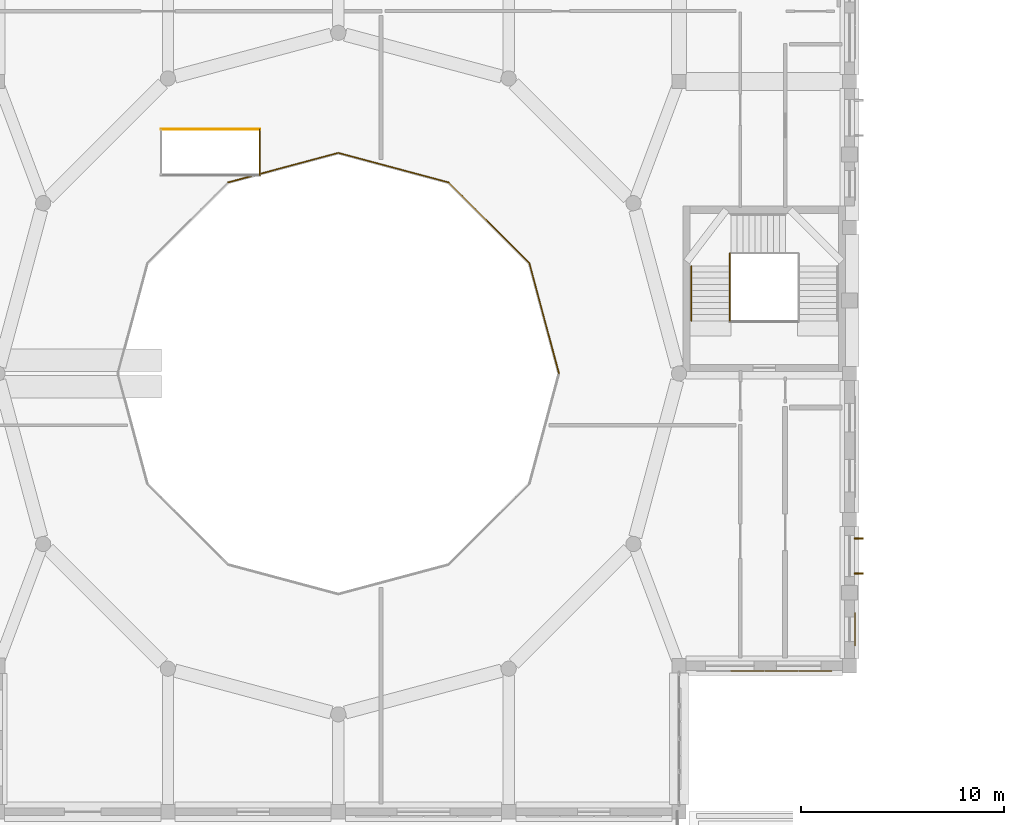
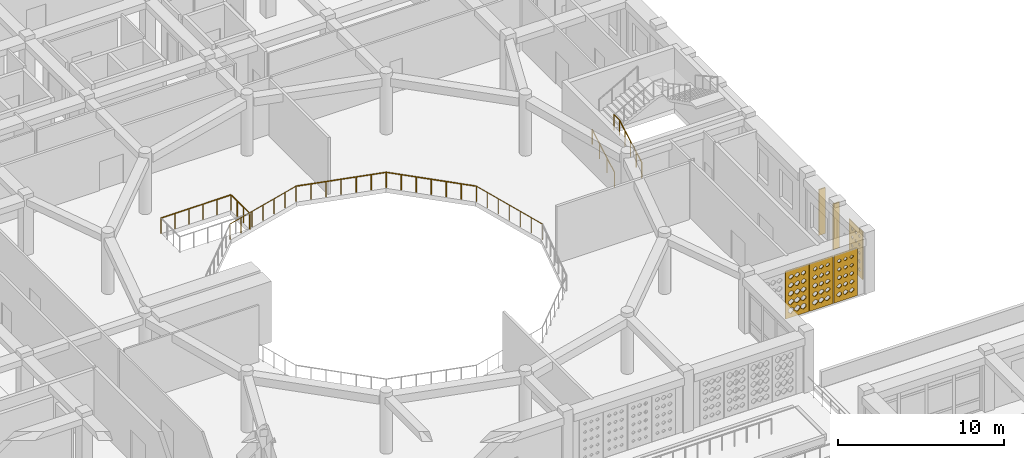
# One storey, part 84 of 100: 8 railings, 4 coverings, 2 shading devices.
"""IFC4 building model written with IfcOpenShell, lengths in metres."""

from ifc_helpers import new_model, si_unit, derived_unit, direction, frame, origin, origin_2d, place, context, subcontext, project, spatial, polyline, rectangle, circle, outline, extrude, material, layer, layer_set, type_object, element, save


model = new_model("IFC4")

# Units and contexts
model_context = context("Model", 3, precision=1e-05, world=origin(), true_north=direction((0.0, 1.0)))
body_context = subcontext(model_context, "Body", "Model", "MODEL_VIEW")
ifc_project = project(units=[si_unit("LENGTHUNIT", "METRE"), si_unit("AREAUNIT", "SQUARE_METRE"), si_unit("VOLUMEUNIT", "CUBIC_METRE"), si_unit("PLANEANGLEUNIT", "RADIAN"), si_unit("MASSUNIT", "GRAM", prefix="KILO"), derived_unit("THERMALTRANSMITTANCEUNIT", [(si_unit("POWERUNIT", "WATT"), 1), (si_unit("LENGTHUNIT", "METRE"), -2), (si_unit("THERMODYNAMICTEMPERATUREUNIT", "KELVIN"), -1)])], contexts=[model_context])

# Site, building, storey
site_placement = place(None, origin())
site = spatial("IfcSite", under=ifc_project, at=site_placement, CompositionType="ELEMENT")
building_placement = place(site_placement, origin())
building = spatial("IfcBuilding", under=site, at=building_placement, Name="Veybourne Emporium", CompositionType="ELEMENT")
storey_placement = place(building_placement, frame((0.0, 0.0, 14.39990234375)))
storey = spatial("IfcBuildingStorey", under=building, at=storey_placement, Name="L03", CompositionType="ELEMENT", Elevation=14.39990234375)

# Railings
ifc_material_1 = material(Name="Patinated Architectural Bronze", Category="bronze")
railing_type_1 = type_object("IfcRailingType", Name="Balustrade_BL-01", PredefinedType="BALUSTRADE", material=ifc_material_1)
railing_1_placement = place(storey_placement, frame((86.47998046875, 50.39990234375, 0.0)))
element("IfcRailing", 1, at=railing_1_placement, inside=storey, type_object=railing_type_1, Name="L03 central atrium void balustrade 01", PredefinedType="BALUSTRADE", context=body_context, shape_type="SweptSolid", body=[
    extrude(circle(Radius=0.02392578125, at=origin_2d()), frame((0.0, 0.0, 1.1259765625), z_axis=(-0.25879025426, 0.965933540312, 0.0), x_axis=(-0.965933540312, -0.25879025426, 0.0)), (0.0, 0.0, 1.0), 5.632080078125),
    extrude(circle(Radius=0.02099609375, at=origin_2d()), origin(), (0.0, 0.0, 1.0), 1.101806640625),
    extrude(circle(Radius=0.02099609375, at=origin_2d()), frame((-0.242919921875, 0.90673828125, 0.0)), (0.0, 0.0, 1.0), 1.101806640625),
    extrude(circle(Radius=0.02099609375, at=origin_2d()), frame((-0.48583984375, 1.8134765625, 0.0)), (0.0, 0.0, 1.0), 1.101806640625),
    extrude(circle(Radius=0.02099609375, at=origin_2d()), frame((-0.728759765625, 2.72021484375, 0.0)), (0.0, 0.0, 1.0), 1.101806640625),
    extrude(circle(Radius=0.02099609375, at=origin_2d()), frame((-0.9716796875, 3.626708984375, 0.0)), (0.0, 0.0, 1.0), 1.101806640625),
    extrude(circle(Radius=0.02099609375, at=origin_2d()), frame((-1.214599609375, 4.533447265625, 0.0)), (0.0, 0.0, 1.0), 1.101806640625),
    extrude(circle(Radius=0.02099609375, at=origin_2d()), frame((-1.45751953125, 5.440185546875, 0.0)), (0.0, 0.0, 1.0), 1.101806640625),
])
railing_2_placement = place(storey_placement, frame((85.0224609375, 55.840087890625, 0.0)))
element("IfcRailing", 2, at=railing_2_placement, inside=storey, type_object=railing_type_1, Name="L03 central atrium void balustrade 02", PredefinedType="BALUSTRADE", context=body_context, shape_type="SweptSolid", body=[
    extrude(circle(Radius=0.02392578125, at=origin_2d()), frame((0.0, 0.0, 1.1259765625), z_axis=(-0.707128455954, 0.707085105755, 0.0), x_axis=(-0.707085105755, -0.707128455954, 0.0)), (0.0, 0.0, 1.0), 5.6318359375),
    extrude(circle(Radius=0.02099609375, at=origin_2d()), origin(), (0.0, 0.0, 1.0), 1.101806640625),
    extrude(circle(Radius=0.02099609375, at=origin_2d()), frame((-0.663818359375, 0.66357421875, 0.0)), (0.0, 0.0, 1.0), 1.101806640625),
    extrude(circle(Radius=0.02099609375, at=origin_2d()), frame((-1.327392578125, 1.327392578125, 0.0)), (0.0, 0.0, 1.0), 1.101806640625),
    extrude(circle(Radius=0.02099609375, at=origin_2d()), frame((-1.9912109375, 1.9912109375, 0.0)), (0.0, 0.0, 1.0), 1.101806640625),
    extrude(circle(Radius=0.02099609375, at=origin_2d()), frame((-2.655029296875, 2.65478515625, 0.0)), (0.0, 0.0, 1.0), 1.101806640625),
    extrude(circle(Radius=0.02099609375, at=origin_2d()), frame((-3.318603515625, 3.318359375, 0.0)), (0.0, 0.0, 1.0), 1.101806640625),
    extrude(circle(Radius=0.02099609375, at=origin_2d()), frame((-3.982421875, 3.982177734375, 0.0)), (0.0, 0.0, 1.0), 1.101806640625),
])
railing_3_placement = place(storey_placement, frame((81.0400390625, 59.822265625, 0.0)))
element("IfcRailing", 3, at=railing_3_placement, inside=storey, type_object=railing_type_1, Name="L03 central atrium void balustrade 03", PredefinedType="BALUSTRADE", context=body_context, shape_type="SweptSolid", body=[
    extrude(circle(Radius=0.02392578125, at=origin_2d()), frame((0.0, 0.0, 1.1259765625), z_axis=(-0.965919799386, 0.258841536762, 0.0), x_axis=(-0.258841536762, -0.965919799386, 0.0)), (0.0, 0.0, 1.0), 5.6318359375),
    extrude(circle(Radius=0.02099609375, at=origin_2d()), origin(), (0.0, 0.0, 1.0), 1.101806640625),
    extrude(circle(Radius=0.02099609375, at=origin_2d()), frame((-0.90673828125, 0.242919921875, 0.0)), (0.0, 0.0, 1.0), 1.101806640625),
    extrude(circle(Radius=0.02099609375, at=origin_2d()), frame((-1.813232421875, 0.48583984375, 0.0)), (0.0, 0.0, 1.0), 1.101806640625),
    extrude(circle(Radius=0.02099609375, at=origin_2d()), frame((-2.719970703125, 0.72900390625, 0.0)), (0.0, 0.0, 1.0), 1.101806640625),
    extrude(circle(Radius=0.02099609375, at=origin_2d()), frame((-3.626708984375, 0.971923828125, 0.0)), (0.0, 0.0, 1.0), 1.101806640625),
    extrude(circle(Radius=0.02099609375, at=origin_2d()), frame((-4.533203125, 1.21484375, 0.0)), (0.0, 0.0, 1.0), 1.101806640625),
    extrude(circle(Radius=0.02099609375, at=origin_2d()), frame((-5.43994140625, 1.457763671875, 0.0)), (0.0, 0.0, 1.0), 1.101806640625),
])
railing_4_placement = place(storey_placement, frame((75.60009765625, 61.280029296875, 0.0)))
element("IfcRailing", 4, at=railing_4_placement, inside=storey, type_object=railing_type_1, Name="L03 central atrium void balustrade 04", PredefinedType="BALUSTRADE", context=body_context, shape_type="SweptSolid", body=[
    extrude(circle(Radius=0.02392578125, at=origin_2d()), frame((0.0, 0.0, 1.1259765625), z_axis=(-0.965922703593, -0.258830698881, 0.0), x_axis=(0.258830698881, -0.965922703593, 0.0)), (0.0, 0.0, 1.0), 5.632080078125),
    extrude(circle(Radius=0.02099609375, at=origin_2d()), origin(), (0.0, 0.0, 1.0), 1.101806640625),
    extrude(circle(Radius=0.02099609375, at=origin_2d()), frame((-0.90673828125, -0.242919921875, 0.0)), (0.0, 0.0, 1.0), 1.101806640625),
    extrude(circle(Radius=0.02099609375, at=origin_2d()), frame((-1.8134765625, -0.48583984375, 0.0)), (0.0, 0.0, 1.0), 1.101806640625),
    extrude(circle(Radius=0.02099609375, at=origin_2d()), frame((-2.72021484375, -0.72900390625, 0.0)), (0.0, 0.0, 1.0), 1.101806640625),
    extrude(circle(Radius=0.02099609375, at=origin_2d()), frame((-3.626708984375, -0.971923828125, 0.0)), (0.0, 0.0, 1.0), 1.101806640625),
    extrude(circle(Radius=0.02099609375, at=origin_2d()), frame((-4.533447265625, -1.21484375, 0.0)), (0.0, 0.0, 1.0), 1.101806640625),
    extrude(circle(Radius=0.02099609375, at=origin_2d()), frame((-5.440185546875, -1.457763671875, 0.0)), (0.0, 0.0, 1.0), 1.101806640625),
])
railing_5_placement = place(storey_placement, frame((71.739990234375, 60.171875, 0.0)))
element("IfcRailing", 5, at=railing_5_placement, inside=storey, type_object=railing_type_1, Name="L03 escalator well balustrade 1.2", PredefinedType="BALUSTRADE", context=body_context, shape_type="SweptSolid", body=[
    extrude(circle(Radius=0.02392578125, at=origin_2d()), frame((0.0, 0.0, 1.1259765625), z_axis=(0.0, 1.0, 0.0), x_axis=(-1.0, 0.0, 0.0)), (0.0, 0.0, 1.0), 2.280029296875),
    extrude(circle(Radius=0.02099609375, at=origin_2d()), origin(), (0.0, 0.0, 1.0), 1.101806640625),
    extrude(circle(Radius=0.02099609375, at=origin_2d()), frame((0.0, 0.760009765625, 0.0)), (0.0, 0.0, 1.0), 1.101806640625),
    extrude(circle(Radius=0.02099609375, at=origin_2d()), frame((0.0, 1.52001953125, 0.0)), (0.0, 0.0, 1.0), 1.101806640625),
    extrude(circle(Radius=0.02099609375, at=origin_2d()), frame((0.0, 2.280029296875, 0.0)), (0.0, 0.0, 1.0), 1.101806640625),
])
railing_6_placement = place(storey_placement, frame((71.739990234375, 62.451904296875, 0.0)))
element("IfcRailing", 6, at=railing_6_placement, inside=storey, type_object=railing_type_1, Name="L03 escalator well balustrade 1.3", PredefinedType="BALUSTRADE", context=body_context, shape_type="SweptSolid", body=[
    extrude(circle(Radius=0.02392578125, at=origin_2d()), frame((0.0, 0.0, 1.1259765625), z_axis=(-1.0, 0.0, 0.0), x_axis=(0.0, -1.0, 0.0)), (0.0, 0.0, 1.0), 4.8798828125),
    extrude(circle(Radius=0.02099609375, at=origin_2d()), origin(), (0.0, 0.0, 1.0), 1.101806640625),
    extrude(circle(Radius=0.02099609375, at=origin_2d()), frame((-0.97607421875, 0.0, 0.0)), (0.0, 0.0, 1.0), 1.101806640625),
    extrude(circle(Radius=0.02099609375, at=origin_2d()), frame((-1.951904296875, 0.0, 0.0)), (0.0, 0.0, 1.0), 1.101806640625),
    extrude(circle(Radius=0.02099609375, at=origin_2d()), frame((-2.927978515625, 0.0, 0.0)), (0.0, 0.0, 1.0), 1.101806640625),
    extrude(circle(Radius=0.02099609375, at=origin_2d()), frame((-3.90380859375, 0.0, 0.0)), (0.0, 0.0, 1.0), 1.101806640625),
    extrude(circle(Radius=0.02099609375, at=origin_2d()), frame((-4.8798828125, 0.0, 0.0)), (0.0, 0.0, 1.0), 1.101806640625),
])
ifc_material_2 = material(Name="Brushed Stainless Steel", Category="steel")
railing_type_2 = type_object("IfcRailingType", Name="Guard_GR-01", PredefinedType="GUARDRAIL", material=ifc_material_2)
railing_7_placement = place(storey_placement, frame((94.909912109375, 53.0, 0.0)))
element("IfcRailing", 7, at=railing_7_placement, inside=storey, type_object=railing_type_2, Name="L03 ST-07 stair guard 1", PredefinedType="GUARDRAIL", context=body_context, shape_type="SweptSolid", body=[
    extrude(circle(Radius=0.02392578125, at=origin_2d()), frame((0.0, 0.0, 1.1259765625), z_axis=(0.0, 0.87415354758, 0.485649642493), x_axis=(-1.0, 0.0, 0.0)), (0.0, 0.0, 1.0), 3.088623046875),
    extrude(circle(Radius=0.02392578125, at=origin_2d()), frame((0.0, 2.699951171875, 2.6259765625), z_axis=(0.0, 1.0, 0.0), x_axis=(-1.0, 0.0, 0.0)), (0.0, 0.0, 1.0), 0.64013671875),
    extrude(circle(Radius=0.02099609375, at=origin_2d()), origin(), (0.0, 0.0, 1.0), 1.101806640625),
    extrude(circle(Radius=0.02099609375, at=origin_2d()), frame((0.0, 0.675048828125, 0.375)), (0.0, 0.0, 1.0), 1.101806640625),
    extrude(circle(Radius=0.02099609375, at=origin_2d()), frame((0.0, 1.35009765625, 0.75)), (0.0, 0.0, 1.0), 1.101806640625),
    extrude(circle(Radius=0.02099609375, at=origin_2d()), frame((0.0, 2.02490234375, 1.125)), (0.0, 0.0, 1.0), 1.101806640625),
    extrude(circle(Radius=0.02099609375, at=origin_2d()), frame((0.0, 2.699951171875, 1.5)), (0.0, 0.0, 1.0), 1.101806640625),
    extrude(circle(Radius=0.02099609375, at=origin_2d()), frame((0.0, 3.340087890625, 1.5)), (0.0, 0.0, 1.0), 1.101806640625),
])
railing_type_3 = type_object("IfcRailingType", Name="Handrail_HR-01", PredefinedType="HANDRAIL", material=ifc_material_2)
railing_8_placement = place(storey_placement, frame((93.010009765625, 53.0, 0.150146484375)))
element("IfcRailing", 8, at=railing_8_placement, inside=storey, type_object=railing_type_3, Name="L03 ST-07 pitch handrail 1", PredefinedType="HANDRAIL", context=body_context, shape_type="SweptSolid", body=[
    extrude(circle(Radius=0.02392578125, at=origin_2d()), frame((0.0, 0.0, 0.92578125), z_axis=(0.0, 0.87415354758, 0.485649642493), x_axis=(-1.0, 0.0, 0.0)), (0.0, 0.0, 1.0), 3.088623046875),
    extrude(circle(Radius=0.02099609375, at=origin_2d()), frame((0.0, 0.0, -0.14990234375)), (0.0, 0.0, 1.0), 1.0517578125),
    extrude(circle(Radius=0.02099609375, at=origin_2d()), frame((0.0, 0.89990234375, 0.35009765625)), (0.0, 0.0, 1.0), 1.0517578125),
    extrude(circle(Radius=0.02099609375, at=origin_2d()), frame((0.0, 1.800048828125, 0.85009765625)), (0.0, 0.0, 1.0), 1.0517578125),
    extrude(circle(Radius=0.02099609375, at=origin_2d()), frame((0.0, 2.699951171875, 1.35009765625)), (0.0, 0.0, 1.0), 1.0517578125),
])

# Shading devices
shading_device_type = type_object("IfcShadingDeviceType", Name="SolarFin_FIN-02", PredefinedType="USERDEFINED", material=ifc_material_1)
for number, where, z_axis, x_axis, name in (
    (9, (101.263916015625, 42.27392578125, 0.125244140625), (0.0, 0.0, 1.0), (0.0, -1.0, 0.0), "L03 bronze brise-soleil fin FIN-02 (54A.1)"),
    (10, (101.263916015625, 40.5458984375, 0.125244140625), (0.0, 0.0, 1.0), (0.0, -1.0, 0.0), "L03 bronze brise-soleil fin FIN-02 (54A.2)"),
):
    element("IfcShadingDevice", number, at=place(storey_placement, frame(where, z_axis=z_axis, x_axis=x_axis)), inside=storey, type_object=shading_device_type, Name=name, ObjectType="FIN", PredefinedType="USERDEFINED", context=body_context, shape_type="SweptSolid", body=[
        extrude(rectangle(XDim=0.074951171875, YDim=0.449951171875, at=origin_2d()), origin(), (0.0, 0.0, 1.0), 3.3798828125),
    ])

# Coverings
ifc_material_3 = material(Name="Warm-White Perforated Aluminium Screen Alloy", Category="aluminium")
ifc_layer_1 = layer(ifc_material_3, 0.06005859375)
ifc_layer_set_1 = layer_set([ifc_layer_1], Name="Warm-White Perforated Aluminium Screen Alloy")
covering_type_1 = type_object("IfcCoveringType", Name="WaveScreen_SCR-02", PredefinedType="CLADDING", material=ifc_layer_set_1)
covering_1_placement = place(storey_placement, frame((99.1201171875, 35.701904296875, 1.815185546875), z_axis=(0.0, 1.0, 0.0), x_axis=(-1.0, 0.0, 0.0)))
element("IfcCovering", 11, at=covering_1_placement, inside=storey, type_object=covering_type_1, Name="L03 wave-perforated aluminium screen SCR-02 (53.1)", PredefinedType="CLADDING", context=body_context, shape_type="SweptSolid", body=[
    extrude(outline(polyline([(-0.81982421875, -1.7548828125), (0.81982421875, -1.7548828125), (0.81982421875, 1.7548828125), (-0.81982421875, 1.7548828125), (-0.81982421875, -1.7548828125)]), holes=[polyline([(-0.433349609375, -1.057861328125), (-0.2841796875, -1.166748046875), (-0.2841796875, -1.289306640625), (-0.433349609375, -1.398193359375), (-0.58251953125, -1.289306640625), (-0.58251953125, -1.166748046875), (-0.433349609375, -1.057861328125)]), polyline([(-0.433349609375, -0.45703125), (-0.294921875, -0.5576171875), (-0.294921875, -0.67041015625), (-0.433349609375, -0.77099609375), (-0.57177734375, -0.67041015625), (-0.57177734375, -0.5576171875), (-0.433349609375, -0.45703125)]), polyline([(-0.433349609375, 0.144775390625), (-0.304931640625, 0.052001953125), (-0.304931640625, -0.052001953125), (-0.433349609375, -0.144775390625), (-0.561767578125, -0.052001953125), (-0.561767578125, 0.052001953125), (-0.433349609375, 0.144775390625)]), polyline([(-0.433349609375, 0.747802734375), (-0.313720703125, 0.662109375), (-0.313720703125, 0.56591796875), (-0.433349609375, 0.47998046875), (-0.552978515625, 0.56591796875), (-0.552978515625, 0.662109375), (-0.433349609375, 0.747802734375)]), polyline([(-0.433349609375, 1.352783203125), (-0.3212890625, 1.27294921875), (-0.3212890625, 1.18310546875), (-0.433349609375, 1.10302734375), (-0.54541015625, 1.18310546875), (-0.54541015625, 1.27294921875), (-0.433349609375, 1.352783203125)]), polyline([(0.0, -1.051513671875), (0.154296875, -1.16455078125), (0.154296875, -1.29150390625), (0.0, -1.404541015625), (-0.154296875, -1.29150390625), (-0.154296875, -1.16455078125), (0.0, -1.051513671875)]), polyline([(0.0, -0.451171875), (0.143310546875, -0.555419921875), (0.143310546875, -0.672607421875), (0.0, -0.77685546875), (-0.143310546875, -0.672607421875), (-0.143310546875, -0.555419921875), (0.0, -0.451171875)]), polyline([(0.0, 0.150146484375), (0.1328125, 0.053955078125), (0.1328125, -0.053955078125), (0.0, -0.150146484375), (-0.1328125, -0.053955078125), (-0.1328125, 0.053955078125), (0.0, 0.150146484375)]), polyline([(0.0, 0.752685546875), (0.123291015625, 0.663818359375), (0.123291015625, 0.564208984375), (0.0, 0.475341796875), (-0.123291015625, 0.564208984375), (-0.123291015625, 0.663818359375), (0.0, 0.752685546875)]), polyline([(0.0, 1.356689453125), (0.115234375, 1.2744140625), (0.115234375, 1.181640625), (0.0, 1.09912109375), (-0.115234375, 1.181640625), (-0.115234375, 1.2744140625), (0.0, 1.356689453125)]), polyline([(0.433349609375, -1.045166015625), (0.593017578125, -1.162109375), (0.593017578125, -1.293701171875), (0.433349609375, -1.410888671875), (0.273681640625, -1.293701171875), (0.273681640625, -1.162109375), (0.433349609375, -1.045166015625)]), polyline([(0.433349609375, -0.445068359375), (0.58154296875, -0.55322265625), (0.58154296875, -0.6748046875), (0.433349609375, -0.782958984375), (0.28515625, -0.6748046875), (0.28515625, -0.55322265625), (0.433349609375, -0.445068359375)]), polyline([(0.433349609375, 0.15576171875), (0.57080078125, 0.05615234375), (0.57080078125, -0.05615234375), (0.433349609375, -0.15576171875), (0.2958984375, -0.05615234375), (0.2958984375, 0.05615234375), (0.433349609375, 0.15576171875)]), polyline([(0.433349609375, 0.7578125), (0.560791015625, 0.665771484375), (0.560791015625, 0.562255859375), (0.433349609375, 0.47021484375), (0.305908203125, 0.562255859375), (0.305908203125, 0.665771484375), (0.433349609375, 0.7578125)]), polyline([(0.433349609375, 1.361083984375), (0.55224609375, 1.27587890625), (0.55224609375, 1.18017578125), (0.433349609375, 1.094970703125), (0.314453125, 1.18017578125), (0.314453125, 1.27587890625), (0.433349609375, 1.361083984375)])]), origin(), (0.0, 0.0, 1.0), 0.06005859375),
])
ifc_layer_2 = layer(ifc_material_3, 0.06005859375)
ifc_layer_set_2 = layer_set([ifc_layer_2], Name="Warm-White Perforated Aluminium Screen Alloy")
covering_type_2 = type_object("IfcCoveringType", Name="WaveScreen_SCR-03", PredefinedType="CLADDING", material=ifc_layer_set_2)
covering_2_placement = place(storey_placement, frame((97.43994140625, 35.701904296875, 1.815185546875), z_axis=(0.0, 1.0, 0.0), x_axis=(-1.0, 0.0, 0.0)))
element("IfcCovering", 12, at=covering_2_placement, inside=storey, type_object=covering_type_2, Name="L03 wave-perforated aluminium screen SCR-03 (53.2)", PredefinedType="CLADDING", context=body_context, shape_type="SweptSolid", body=[
    extrude(outline(polyline([(-0.81982421875, -1.7548828125), (0.81982421875, -1.7548828125), (0.81982421875, 1.7548828125), (-0.81982421875, 1.7548828125), (-0.81982421875, -1.7548828125)]), holes=[polyline([(-0.433349609375, -1.033203125), (-0.263916015625, -1.15771484375), (-0.263916015625, -1.298095703125), (-0.433349609375, -1.4228515625), (-0.602783203125, -1.298095703125), (-0.602783203125, -1.15771484375), (-0.433349609375, -1.033203125)]), polyline([(-0.433349609375, -0.43310546875), (-0.275390625, -0.548828125), (-0.275390625, -0.67919921875), (-0.433349609375, -0.794921875), (-0.59130859375, -0.67919921875), (-0.59130859375, -0.548828125), (-0.433349609375, -0.43310546875)]), polyline([(-0.433349609375, 0.1669921875), (-0.28662109375, 0.06005859375), (-0.28662109375, -0.06005859375), (-0.433349609375, -0.1669921875), (-0.579833984375, -0.06005859375), (-0.579833984375, 0.06005859375), (-0.433349609375, 0.1669921875)]), polyline([(-0.433349609375, 0.767822265625), (-0.29736328125, 0.66943359375), (-0.29736328125, 0.55859375), (-0.433349609375, 0.460205078125), (-0.5693359375, 0.55859375), (-0.5693359375, 0.66943359375), (-0.433349609375, 0.767822265625)]), polyline([(-0.433349609375, 1.3701171875), (-0.30712890625, 1.279052734375), (-0.30712890625, 1.177001953125), (-0.433349609375, 1.0859375), (-0.5595703125, 1.177001953125), (-0.5595703125, 1.279052734375), (-0.433349609375, 1.3701171875)]), polyline([(0.0, -1.026611328125), (0.1748046875, -1.155517578125), (0.1748046875, -1.300537109375), (0.0, -1.42919921875), (-0.1748046875, -1.300537109375), (-0.1748046875, -1.155517578125), (0.0, -1.026611328125)]), polyline([(0.0, -0.427001953125), (0.1630859375, -0.546630859375), (0.1630859375, -0.681396484375), (0.0, -0.801025390625), (-0.1630859375, -0.681396484375), (-0.1630859375, -0.546630859375), (0.0, -0.427001953125)]), polyline([(0.0, 0.173095703125), (0.151611328125, 0.062255859375), (0.151611328125, -0.062255859375), (0.0, -0.173095703125), (-0.151611328125, -0.062255859375), (-0.151611328125, 0.062255859375), (0.0, 0.173095703125)]), polyline([(0.0, 0.773681640625), (0.140625, 0.67138671875), (0.140625, 0.556396484375), (0.0, 0.454345703125), (-0.140625, 0.556396484375), (-0.140625, 0.67138671875), (0.0, 0.773681640625)]), polyline([(0.0, 1.375244140625), (0.130615234375, 1.281005859375), (0.130615234375, 1.175048828125), (0.0, 1.080810546875), (-0.130615234375, 1.175048828125), (-0.130615234375, 1.281005859375), (0.0, 1.375244140625)]), polyline([(0.433349609375, -1.020263671875), (0.61328125, -1.1533203125), (0.61328125, -1.302734375), (0.433349609375, -1.435791015625), (0.25341796875, -1.302734375), (0.25341796875, -1.1533203125), (0.433349609375, -1.020263671875)]), polyline([(0.433349609375, -0.42041015625), (0.601806640625, -0.544189453125), (0.601806640625, -0.68359375), (0.433349609375, -0.8076171875), (0.264892578125, -0.68359375), (0.264892578125, -0.544189453125), (0.433349609375, -0.42041015625)]), polyline([(0.433349609375, 0.179443359375), (0.590087890625, 0.064697265625), (0.590087890625, -0.064697265625), (0.433349609375, -0.179443359375), (0.276611328125, -0.064697265625), (0.276611328125, 0.064697265625), (0.433349609375, 0.179443359375)]), polyline([(0.433349609375, 0.77978515625), (0.578857421875, 0.673583984375), (0.578857421875, 0.55419921875), (0.433349609375, 0.4482421875), (0.287841796875, 0.55419921875), (0.287841796875, 0.673583984375), (0.433349609375, 0.77978515625)]), polyline([(0.433349609375, 1.380859375), (0.568359375, 1.282958984375), (0.568359375, 1.173095703125), (0.433349609375, 1.0751953125), (0.29833984375, 1.173095703125), (0.29833984375, 1.282958984375), (0.433349609375, 1.380859375)])]), origin(), (0.0, 0.0, 1.0), 0.06005859375),
])
covering_3_placement = place(storey_placement, frame((101.09814453125, 37.7900390625, 1.815185546875), z_axis=(-1.0, 0.0, 0.0), x_axis=(0.0, -1.0, 0.0)))
element("IfcCovering", 13, at=covering_3_placement, inside=storey, type_object=covering_type_2, Name="L03 wave-perforated aluminium screen SCR-03 (54B.1)", PredefinedType="CLADDING", context=body_context, shape_type="SweptSolid", body=[
    extrude(outline(polyline([(-0.81982421875, -1.7548828125), (0.81982421875, -1.7548828125), (0.81982421875, 1.7548828125), (-0.81982421875, 1.7548828125), (-0.81982421875, -1.7548828125)]), holes=[polyline([(-0.433349609375, -1.104736328125), (-0.322509765625, -1.18359375), (-0.322509765625, -1.2724609375), (-0.433349609375, -1.351318359375), (-0.544189453125, -1.2724609375), (-0.544189453125, -1.18359375), (-0.433349609375, -1.104736328125)]), polyline([(-0.433349609375, -0.497314453125), (-0.327880859375, -0.572021484375), (-0.327880859375, -0.656005859375), (-0.433349609375, -0.730712890625), (-0.538818359375, -0.656005859375), (-0.538818359375, -0.572021484375), (-0.433349609375, -0.497314453125)]), polyline([(-0.433349609375, 0.1123046875), (-0.33154296875, 0.040283203125), (-0.33154296875, -0.040283203125), (-0.433349609375, -0.1123046875), (-0.53515625, -0.040283203125), (-0.53515625, 0.040283203125), (-0.433349609375, 0.1123046875)]), polyline([(-0.433349609375, 0.72412109375), (-0.333251953125, 0.65380859375), (-0.333251953125, 0.57421875), (-0.433349609375, 0.50390625), (-0.533447265625, 0.57421875), (-0.533447265625, 0.65380859375), (-0.433349609375, 0.72412109375)]), polyline([(-0.433349609375, 1.33837890625), (-0.3330078125, 1.267822265625), (-0.3330078125, 1.188232421875), (-0.433349609375, 1.117431640625), (-0.53369140625, 1.188232421875), (-0.53369140625, 1.267822265625), (-0.433349609375, 1.33837890625)]), polyline([(0.0, -1.10107421875), (0.114013671875, -1.182373046875), (0.114013671875, -1.273681640625), (0.0, -1.35498046875), (-0.114013671875, -1.273681640625), (-0.114013671875, -1.182373046875), (0.0, -1.10107421875)]), polyline([(0.0, -0.49462890625), (0.107666015625, -0.571044921875), (0.107666015625, -0.656982421875), (0.0, -0.7333984375), (-0.107666015625, -0.656982421875), (-0.107666015625, -0.571044921875), (0.0, -0.49462890625)]), polyline([(0.0, 0.114013671875), (0.103271484375, 0.041015625), (0.103271484375, -0.041015625), (0.0, -0.114013671875), (-0.103271484375, -0.041015625), (-0.103271484375, 0.041015625), (0.0, 0.114013671875)]), polyline([(0.0, 0.724853515625), (0.1005859375, 0.65380859375), (0.1005859375, 0.57421875), (0.0, 0.503173828125), (-0.1005859375, 0.57421875), (-0.1005859375, 0.65380859375), (0.0, 0.724853515625)]), polyline([(0.0, 1.337890625), (0.10009765625, 1.267578125), (0.10009765625, 1.1884765625), (0.0, 1.117919921875), (-0.10009765625, 1.1884765625), (-0.10009765625, 1.267578125), (0.0, 1.337890625)]), polyline([(0.433349609375, -1.0966796875), (0.550537109375, -1.180908203125), (0.550537109375, -1.275146484375), (0.433349609375, -1.359130859375), (0.31591796875, -1.275146484375), (0.31591796875, -1.180908203125), (0.433349609375, -1.0966796875)]), polyline([(0.433349609375, -0.491455078125), (0.543701171875, -0.56982421875), (0.543701171875, -0.658203125), (0.433349609375, -0.736572265625), (0.322998046875, -0.658203125), (0.322998046875, -0.56982421875), (0.433349609375, -0.491455078125)]), polyline([(0.433349609375, 0.1162109375), (0.538330078125, 0.041748046875), (0.538330078125, -0.041748046875), (0.433349609375, -0.1162109375), (0.328369140625, -0.041748046875), (0.328369140625, 0.041748046875), (0.433349609375, 0.1162109375)]), polyline([(0.433349609375, 0.725830078125), (0.534912109375, 0.654296875), (0.534912109375, 0.57373046875), (0.433349609375, 0.502197265625), (0.331787109375, 0.57373046875), (0.331787109375, 0.654296875), (0.433349609375, 0.725830078125)]), polyline([(0.433349609375, 1.338134765625), (0.533447265625, 1.267578125), (0.533447265625, 1.1884765625), (0.433349609375, 1.117919921875), (0.333251953125, 1.1884765625), (0.333251953125, 1.267578125), (0.433349609375, 1.338134765625)])]), origin(), (0.0, 0.0, 1.0), 0.06005859375),
])
ifc_layer_3 = layer(ifc_material_3, 0.06005859375)
ifc_layer_set_3 = layer_set([ifc_layer_3], Name="Warm-White Perforated Aluminium Screen Alloy")
covering_type_3 = type_object("IfcCoveringType", Name="WaveScreen_SCR-04", PredefinedType="CLADDING", material=ifc_layer_set_3)
covering_4_placement = place(storey_placement, frame((95.760009765625, 35.701904296875, 1.815185546875), z_axis=(0.0, 1.0, 0.0), x_axis=(-1.0, 0.0, 0.0)))
element("IfcCovering", 14, at=covering_4_placement, inside=storey, type_object=covering_type_3, Name="L03 wave-perforated aluminium screen SCR-04 (53.3)", PredefinedType="CLADDING", context=body_context, shape_type="SweptSolid", body=[
    extrude(outline(polyline([(-0.81982421875, -1.7548828125), (0.81982421875, -1.7548828125), (0.81982421875, 1.7548828125), (-0.81982421875, 1.7548828125), (-0.81982421875, -1.7548828125)]), holes=[polyline([(-0.433349609375, -1.0087890625), (-0.2470703125, -1.14892578125), (-0.2470703125, -1.306884765625), (-0.433349609375, -1.447265625), (-0.61962890625, -1.306884765625), (-0.61962890625, -1.14892578125), (-0.433349609375, -1.0087890625)]), polyline([(-0.433349609375, -0.408447265625), (-0.255126953125, -0.5400390625), (-0.255126953125, -0.68798828125), (-0.433349609375, -0.819580078125), (-0.611572265625, -0.68798828125), (-0.611572265625, -0.5400390625), (-0.433349609375, -0.408447265625)]), polyline([(-0.433349609375, 0.19140625), (-0.2666015625, 0.06884765625), (-0.2666015625, -0.06884765625), (-0.433349609375, -0.19140625), (-0.60009765625, -0.06884765625), (-0.60009765625, 0.06884765625), (-0.433349609375, 0.19140625)]), polyline([(-0.433349609375, 0.79150390625), (-0.2783203125, 0.677978515625), (-0.2783203125, 0.550048828125), (-0.433349609375, 0.4365234375), (-0.58837890625, 0.550048828125), (-0.58837890625, 0.677978515625), (-0.433349609375, 0.79150390625)]), polyline([(-0.433349609375, 1.3916015625), (-0.289306640625, 1.286865234375), (-0.289306640625, 1.169189453125), (-0.433349609375, 1.064208984375), (-0.577392578125, 1.169189453125), (-0.577392578125, 1.286865234375), (-0.433349609375, 1.3916015625)]), polyline([(0.0, -1.002685546875), (0.186279296875, -1.14697265625), (0.186279296875, -1.30908203125), (0.0, -1.453369140625), (-0.186279296875, -1.30908203125), (-0.186279296875, -1.14697265625), (0.0, -1.002685546875)]), polyline([(0.0, -0.402099609375), (0.183349609375, -0.53759765625), (0.183349609375, -0.690185546875), (0.0, -0.825927734375), (-0.183349609375, -0.690185546875), (-0.183349609375, -0.53759765625), (0.0, -0.402099609375)]), polyline([(0.0, 0.197998046875), (0.171875, 0.0712890625), (0.171875, -0.0712890625), (0.0, -0.197998046875), (-0.171875, -0.0712890625), (-0.171875, 0.0712890625), (0.0, 0.197998046875)]), polyline([(0.0, 0.797607421875), (0.160400390625, 0.68017578125), (0.160400390625, 0.5478515625), (0.0, 0.430419921875), (-0.160400390625, 0.5478515625), (-0.160400390625, 0.68017578125), (0.0, 0.797607421875)]), polyline([(0.0, 1.397705078125), (0.14892578125, 1.2890625), (0.14892578125, 1.1669921875), (0.0, 1.05810546875), (-0.14892578125, 1.1669921875), (-0.14892578125, 1.2890625), (0.0, 1.397705078125)]), polyline([(0.433349609375, -0.996826171875), (0.61962890625, -1.144775390625), (0.61962890625, -1.311279296875), (0.433349609375, -1.458984375), (0.2470703125, -1.311279296875), (0.2470703125, -1.144775390625), (0.433349609375, -0.996826171875)]), polyline([(0.433349609375, -0.39599609375), (0.61962890625, -0.535400390625), (0.61962890625, -0.6923828125), (0.433349609375, -0.83203125), (0.2470703125, -0.6923828125), (0.2470703125, -0.535400390625), (0.433349609375, -0.39599609375)]), polyline([(0.433349609375, 0.204345703125), (0.610595703125, 0.073486328125), (0.610595703125, -0.073486328125), (0.433349609375, -0.204345703125), (0.256103515625, -0.073486328125), (0.256103515625, 0.073486328125), (0.433349609375, 0.204345703125)]), polyline([(0.433349609375, 0.80419921875), (0.598876953125, 0.6826171875), (0.598876953125, 0.54541015625), (0.433349609375, 0.423828125), (0.267578125, 0.54541015625), (0.267578125, 0.6826171875), (0.433349609375, 0.80419921875)]), polyline([(0.433349609375, 1.404052734375), (0.58740234375, 1.29150390625), (0.58740234375, 1.16455078125), (0.433349609375, 1.052001953125), (0.279296875, 1.16455078125), (0.279296875, 1.29150390625), (0.433349609375, 1.404052734375)])]), origin(), (0.0, 0.0, 1.0), 0.06005859375),
])

save(model, "model.ifc")
